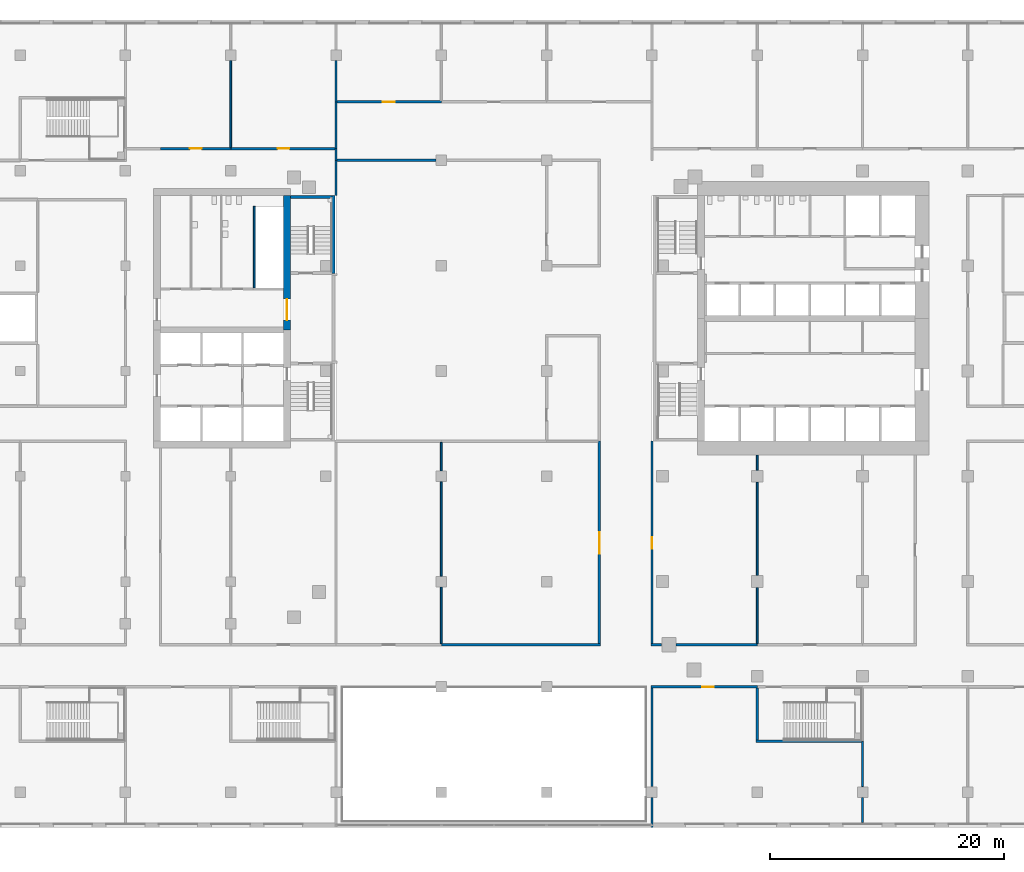
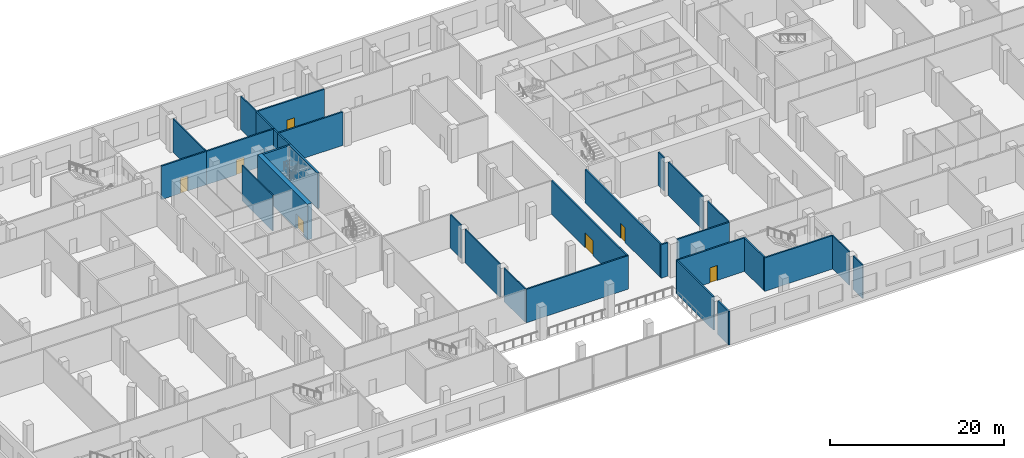
# One storey, part 10 of 23: 31 walls, 7 doors, 7 openings.
"""IFC4 building model written with IfcOpenShell, lengths in metres."""

from ifc_helpers import new_model, si_unit, direction, frame, frame_2d, origin, place, context, subcontext, project, spatial, rectangle, extrude, material, layer, layer_set, type_object, element, fill, save


model = new_model("IFC4")

# Units and contexts
model_context = context("Model", 3, precision=1e-05, world=origin(), true_north=direction((0.0, 1.0)))
body_context = subcontext(model_context, "Body", "Model", "MODEL_VIEW")
ifc_project = project(units=[si_unit("LENGTHUNIT", "METRE"), si_unit("AREAUNIT", "SQUARE_METRE"), si_unit("VOLUMEUNIT", "CUBIC_METRE"), si_unit("PLANEANGLEUNIT", "RADIAN"), si_unit("MASSUNIT", "GRAM", prefix="KILO")], contexts=[model_context])

# Site, building, storey
site_placement = place(None, origin())
site = spatial("IfcSite", under=ifc_project, at=site_placement, CompositionType="ELEMENT")
building_placement = place(site_placement, origin())
building = spatial("IfcBuilding", under=site, at=building_placement, Name="Cinnabar Reach Civic Tower", CompositionType="ELEMENT")
storey_placement = place(building_placement, frame((0.0, 0.0, 6.0)))
storey = spatial("IfcBuildingStorey", under=building, at=storey_placement, Name="L01", CompositionType="ELEMENT", Elevation=6.0)

# Wall, opening, door
ifc_material_1 = material(Name="Concrete C70", Category="concrete")
ifc_layer_1 = layer(ifc_material_1, 0.6)
ifc_layer_set_1 = layer_set([ifc_layer_1], Name="Core wall 600 EI 180")
wall_type_1 = type_object("IfcWallType", Name="Core wall 600 EI 180", PredefinedType="SOLIDWALL", material=ifc_layer_set_1)
wall_1_placement = place(storey_placement, frame((-31.2, 30.5, 0.0), z_axis=(0.0, 0.0, 1.0), x_axis=(0.0, 1.0, 0.0)))
wall_1 = element("IfcWall", 1, at=wall_1_placement, inside=storey, type_object=wall_type_1, Name="Core wall T2 L01 E2", PredefinedType="SOLIDWALL", context=body_context, shape_type="SweptSolid", body=[
    extrude(rectangle(XDim=11.5, YDim=0.6, at=frame_2d((5.75, 0.0))), origin(), (0.0, 0.0, 1.0), 5.0),
])
opening_1_placement = place(wall_1_placement, frame((0.85, 0.0, 0.0)))
opening_1 = element("IfcOpeningElement", 2, at=opening_1_placement, cuts=wall_1, Name="Opening D6042", PredefinedType="OPENING", context=body_context, shape_type="SweptSolid", body=[
    extrude(rectangle(XDim=1.8, YDim=2.1, at=frame_2d((0.9, 1.05))), frame((0.0, 0.31, 0.0), z_axis=(0.0, -1.0, 0.0), x_axis=(1.0, 0.0, 0.0)), (0.0, 0.0, 1.0), 0.62),
])
ifc_material_2 = material(Name="Steel fire door", Category="steel")
door_type_1 = type_object("IfcDoorType", Name="T2 Double door 1800", OperationType="DOUBLE_DOOR_SINGLE_SWING", PredefinedType="DOOR", material=ifc_material_2)
door_1_placement = place(opening_1_placement, origin())
door_1 = element("IfcDoor", 3, at=door_1_placement, inside=storey, type_object=door_type_1, Name="T2 Double door D6042", OperationType="DOUBLE_DOOR_SINGLE_SWING", OverallHeight=2.1, OverallWidth=1.8, PredefinedType="DOOR", context=body_context, shape_type="SweptSolid", body=[
    extrude(rectangle(XDim=1.8, YDim=2.1, at=frame_2d((0.9, 1.05))), frame((0.0, 0.025, 0.0), z_axis=(0.0, -1.0, 0.0), x_axis=(1.0, 0.0, 0.0)), (0.0, 0.0, 1.0), 0.05),
])
fill(opening_1, door_1)

# Walls
ifc_material_3 = material(Name="Concrete blockwork", Category="masonry")
ifc_layer_2 = layer(ifc_material_3, 0.2)
ifc_layer_set_2 = layer_set([ifc_layer_2], Name="Podium masonry corridor wall 200 EI 120")
wall_type_2 = type_object("IfcWallType", Name="Podium masonry corridor wall 200 EI 120", PredefinedType="PARTITIONING", material=ifc_layer_set_2)
wall_2_placement = place(storey_placement, frame((0.0, -12.0, 0.0), z_axis=(0.0, 0.0, 1.0), x_axis=(0.0, 1.0, 0.0)))
element("IfcWall", 4, at=wall_2_placement, inside=storey, type_object=wall_type_2, Name="Wall L01 43", PredefinedType="PARTITIONING", context=body_context, shape_type="SweptSolid", body=[
    extrude(rectangle(XDim=2.53, YDim=0.2, at=frame_2d((1.265, 0.0))), origin(), (0.0, 0.0, 1.0), 4.7),
])
wall_3_placement = place(storey_placement, frame((0.0, -8.53, 0.0), z_axis=(0.0, 0.0, 1.0), x_axis=(0.0, 1.0, 0.0)))
element("IfcWall", 5, at=wall_3_placement, inside=storey, type_object=wall_type_2, Name="Wall L01 44", PredefinedType="PARTITIONING", context=body_context, shape_type="SweptSolid", body=[
    extrude(rectangle(XDim=8.43, YDim=0.2, at=frame_2d((4.215, 0.0))), origin(), (0.0, 0.0, 1.0), 4.7),
])

# Wall, opening, door
wall_4_placement = place(storey_placement, frame((-0.1, 0.0, 0.0), z_axis=(0.0, 0.0, 1.0), x_axis=(1.0, 0.0, 0.0)))
wall_4 = element("IfcWall", 6, at=wall_4_placement, inside=storey, type_object=wall_type_2, Name="Wall L01 54", PredefinedType="PARTITIONING", context=body_context, shape_type="SweptSolid", body=[
    extrude(rectangle(XDim=9.1, YDim=0.2, at=frame_2d((4.55, 0.0))), origin(), (0.0, 0.0, 1.0), 4.7),
])
opening_2_placement = place(wall_4_placement, frame((4.4, 0.0, 0.0)))
opening_2 = element("IfcOpeningElement", 7, at=opening_2_placement, cuts=wall_4, Name="Opening D1053", PredefinedType="OPENING", context=body_context, shape_type="SweptSolid", body=[
    extrude(rectangle(XDim=1.0, YDim=2.1, at=frame_2d((0.5, 1.05))), frame((0.0, 0.11, 0.0), z_axis=(0.0, -1.0, 0.0), x_axis=(1.0, 0.0, 0.0)), (0.0, 0.0, 1.0), 0.22),
])
ifc_material_4 = material(Name="Painted steel door leaf", Category="steel")
door_type_2 = type_object("IfcDoorType", Name="Podium single door 1000x2100", OperationType="SINGLE_SWING_LEFT", PredefinedType="DOOR", material=ifc_material_4)
door_2_placement = place(opening_2_placement, frame((1.0, 0.0, 0.0), z_axis=(0.0, 0.0, 1.0), x_axis=(-1.0, 0.0, 0.0)))
door_2 = element("IfcDoor", 8, at=door_2_placement, inside=storey, type_object=door_type_2, Name="Door D1053", OperationType="SINGLE_SWING_LEFT", OverallHeight=2.1, OverallWidth=1.0, PredefinedType="DOOR", context=body_context, shape_type="SweptSolid", body=[
    extrude(rectangle(XDim=1.0, YDim=2.1, at=frame_2d((0.5, 1.05))), frame((0.0, 0.025, 0.0), z_axis=(0.0, -1.0, 0.0), x_axis=(1.0, 0.0, 0.0)), (0.0, 0.0, 1.0), 0.05),
])
fill(opening_2, door_2)

# Walls
wall_5_placement = place(storey_placement, frame((-0.1, 3.6, 0.0), z_axis=(0.0, 0.0, 1.0), x_axis=(1.0, 0.0, 0.0)))
element("IfcWall", 9, at=wall_5_placement, inside=storey, type_object=wall_type_2, Name="Wall L01 59", PredefinedType="PARTITIONING", context=body_context, shape_type="SweptSolid", body=[
    extrude(rectangle(XDim=0.9331, YDim=0.2, at=frame_2d((0.4666, 0.0))), origin(), (0.0, 0.0, 1.0), 4.7),
])
wall_6_placement = place(storey_placement, frame((2.0731, 3.6, 0.0), z_axis=(0.0, 0.0, 1.0), x_axis=(1.0, 0.0, 0.0)))
element("IfcWall", 10, at=wall_6_placement, inside=storey, type_object=wall_type_2, Name="Wall L01 60", PredefinedType="PARTITIONING", context=body_context, shape_type="SweptSolid", body=[
    extrude(rectangle(XDim=6.9269, YDim=0.2, at=frame_2d((3.4634, 0.0))), origin(), (0.0, 0.0, 1.0), 4.7),
])
wall_7_placement = place(storey_placement, frame((-27.0, 42.0, 0.0), z_axis=(0.0, 0.0, 1.0), x_axis=(0.0, 1.0, 0.0)))
element("IfcWall", 11, at=wall_7_placement, inside=storey, type_object=wall_type_2, Name="Wall L01 94", PredefinedType="PARTITIONING", context=body_context, shape_type="SweptSolid", body=[
    extrude(rectangle(XDim=3.0, YDim=0.2, at=frame_2d((1.5, 0.0))), origin(), (0.0, 0.0, 1.0), 4.7),
])
wall_8_placement = place(storey_placement, frame((-27.0, 45.0, 0.0), z_axis=(0.0, 0.0, 1.0), x_axis=(0.0, 1.0, 0.0)))
element("IfcWall", 12, at=wall_8_placement, inside=storey, type_object=wall_type_2, Name="Wall L01 95", PredefinedType="PARTITIONING", context=body_context, shape_type="SweptSolid", body=[
    extrude(rectangle(XDim=1.0, YDim=0.2, at=frame_2d((0.5, 0.0))), origin(), (0.0, 0.0, 1.0), 4.7),
])

# Wall, opening, door
wall_9_placement = place(storey_placement, frame((-42.0, 46.0, 0.0), z_axis=(0.0, 0.0, 1.0), x_axis=(1.0, 0.0, 0.0)))
wall_9 = element("IfcWall", 13, at=wall_9_placement, inside=storey, type_object=wall_type_2, Name="Wall L01 96", PredefinedType="PARTITIONING", context=body_context, shape_type="SweptSolid", body=[
    extrude(rectangle(XDim=6.0, YDim=0.2, at=frame_2d((3.0, 0.0))), origin(), (0.0, 0.0, 1.0), 4.7),
])
opening_3_placement = place(wall_9_placement, frame((2.5, 0.0, 0.0)))
opening_3 = element("IfcOpeningElement", 14, at=opening_3_placement, cuts=wall_9, Name="Opening D1086", PredefinedType="OPENING", context=body_context, shape_type="SweptSolid", body=[
    extrude(rectangle(XDim=1.0, YDim=2.1, at=frame_2d((0.5, 1.05))), frame((0.0, 0.11, 0.0), z_axis=(0.0, -1.0, 0.0), x_axis=(1.0, 0.0, 0.0)), (0.0, 0.0, 1.0), 0.22),
])
door_3_placement = place(opening_3_placement, origin())
door_3 = element("IfcDoor", 15, at=door_3_placement, inside=storey, type_object=door_type_2, Name="Door D1086", OperationType="SINGLE_SWING_RIGHT", OverallHeight=2.1, OverallWidth=1.0, PredefinedType="DOOR", context=body_context, shape_type="SweptSolid", body=[
    extrude(rectangle(XDim=1.0, YDim=2.1, at=frame_2d((0.5, 1.05))), frame((0.0, 0.025, 0.0), z_axis=(0.0, -1.0, 0.0), x_axis=(1.0, 0.0, 0.0)), (0.0, 0.0, 1.0), 0.05),
])
fill(opening_3, door_3)

wall_10_placement = place(storey_placement, frame((-36.0, 46.0, 0.0), z_axis=(0.0, 0.0, 1.0), x_axis=(1.0, 0.0, 0.0)))
wall_10 = element("IfcWall", 16, at=wall_10_placement, inside=storey, type_object=wall_type_2, Name="Wall L01 97", PredefinedType="PARTITIONING", context=body_context, shape_type="SweptSolid", body=[
    extrude(rectangle(XDim=8.9, YDim=0.2, at=frame_2d((4.45, 0.0))), origin(), (0.0, 0.0, 1.0), 4.7),
])
opening_4_placement = place(wall_10_placement, frame((4.0, 0.0, 0.0)))
opening_4 = element("IfcOpeningElement", 17, at=opening_4_placement, cuts=wall_10, Name="Opening D1087", PredefinedType="OPENING", context=body_context, shape_type="SweptSolid", body=[
    extrude(rectangle(XDim=1.0, YDim=2.1, at=frame_2d((0.5, 1.05))), frame((0.0, 0.11, 0.0), z_axis=(0.0, -1.0, 0.0), x_axis=(1.0, 0.0, 0.0)), (0.0, 0.0, 1.0), 0.22),
])
door_4_placement = place(opening_4_placement, origin())
door_4 = element("IfcDoor", 18, at=door_4_placement, inside=storey, type_object=door_type_2, Name="Door D1087", OperationType="SINGLE_SWING_LEFT", OverallHeight=2.1, OverallWidth=1.0, PredefinedType="DOOR", context=body_context, shape_type="SweptSolid", body=[
    extrude(rectangle(XDim=1.0, YDim=2.1, at=frame_2d((0.5, 1.05))), frame((0.0, 0.025, 0.0), z_axis=(0.0, -1.0, 0.0), x_axis=(1.0, 0.0, 0.0)), (0.0, 0.0, 1.0), 0.05),
])
fill(opening_4, door_4)

# Wall
wall_11_placement = place(storey_placement, frame((-18.0, 3.6, 0.0), z_axis=(0.0, 0.0, 1.0), x_axis=(1.0, 0.0, 0.0)))
element("IfcWall", 19, at=wall_11_placement, inside=storey, type_object=wall_type_2, Name="Wall L01 126", PredefinedType="PARTITIONING", context=body_context, shape_type="SweptSolid", body=[
    extrude(rectangle(XDim=13.6, YDim=0.2, at=frame_2d((6.8, 0.0))), origin(), (0.0, 0.0, 1.0), 4.7),
])

# Wall, opening, door
wall_12_placement = place(storey_placement, frame((-4.5, 3.7, 0.0), z_axis=(0.0, 0.0, 1.0), x_axis=(0.0, 1.0, 0.0)))
wall_12 = element("IfcWall", 20, at=wall_12_placement, inside=storey, type_object=wall_type_2, Name="Wall L01 127", PredefinedType="PARTITIONING", context=body_context, shape_type="SweptSolid", body=[
    extrude(rectangle(XDim=17.3, YDim=0.2, at=frame_2d((8.65, 0.0))), origin(), (0.0, 0.0, 1.0), 4.7),
])
opening_5_placement = place(wall_12_placement, frame((7.7, 0.0, 0.0)))
opening_5 = element("IfcOpeningElement", 21, at=opening_5_placement, cuts=wall_12, Name="Opening D1044", PredefinedType="OPENING", context=body_context, shape_type="SweptSolid", body=[
    extrude(rectangle(XDim=1.8, YDim=2.1, at=frame_2d((0.9, 1.05))), frame((0.0, 0.11, 0.0), z_axis=(0.0, -1.0, 0.0), x_axis=(1.0, 0.0, 0.0)), (0.0, 0.0, 1.0), 0.22),
])
door_type_3 = type_object("IfcDoorType", Name="Podium double door 1800x2100", OperationType="DOUBLE_DOOR_SINGLE_SWING", PredefinedType="DOOR", material=ifc_material_4)
door_5_placement = place(opening_5_placement, origin())
door_5 = element("IfcDoor", 22, at=door_5_placement, inside=storey, type_object=door_type_3, Name="Door D1044", OperationType="DOUBLE_DOOR_SINGLE_SWING", OverallHeight=2.1, OverallWidth=1.8, PredefinedType="DOOR", context=body_context, shape_type="SweptSolid", body=[
    extrude(rectangle(XDim=1.8, YDim=2.1, at=frame_2d((0.9, 1.05))), frame((0.0, 0.025, 0.0), z_axis=(0.0, -1.0, 0.0), x_axis=(1.0, 0.0, 0.0)), (0.0, 0.0, 1.0), 0.05),
])
fill(opening_5, door_5)

wall_13_placement = place(storey_placement, frame((0.0, 3.7, 0.0), z_axis=(0.0, 0.0, 1.0), x_axis=(0.0, 1.0, 0.0)))
wall_13 = element("IfcWall", 23, at=wall_13_placement, inside=storey, type_object=wall_type_2, Name="Wall L01 130", PredefinedType="PARTITIONING", context=body_context, shape_type="SweptSolid", body=[
    extrude(rectangle(XDim=17.3, YDim=0.2, at=frame_2d((8.65, 0.0))), origin(), (0.0, 0.0, 1.0), 4.7),
])
opening_6_placement = place(wall_13_placement, frame((8.1, 0.0, 0.0)))
opening_6 = element("IfcOpeningElement", 24, at=opening_6_placement, cuts=wall_13, Name="Opening D1064", PredefinedType="OPENING", context=body_context, shape_type="SweptSolid", body=[
    extrude(rectangle(XDim=1.0, YDim=2.1, at=frame_2d((0.5, 1.05))), frame((0.0, 0.11, 0.0), z_axis=(0.0, -1.0, 0.0), x_axis=(1.0, 0.0, 0.0)), (0.0, 0.0, 1.0), 0.22),
])
door_6_placement = place(opening_6_placement, frame((1.0, 0.0, 0.0), z_axis=(0.0, 0.0, 1.0), x_axis=(-1.0, 0.0, 0.0)))
door_6 = element("IfcDoor", 25, at=door_6_placement, inside=storey, type_object=door_type_2, Name="Door D1064", OperationType="SINGLE_SWING_RIGHT", OverallHeight=2.1, OverallWidth=1.0, PredefinedType="DOOR", context=body_context, shape_type="SweptSolid", body=[
    extrude(rectangle(XDim=1.0, YDim=2.1, at=frame_2d((0.5, 1.05))), frame((0.0, 0.025, 0.0), z_axis=(0.0, -1.0, 0.0), x_axis=(1.0, 0.0, 0.0)), (0.0, 0.0, 1.0), 0.05),
])
fill(opening_6, door_6)

# Wall
wall_14_placement = place(storey_placement, frame((-26.9, 45.0, 0.0), z_axis=(0.0, 0.0, 1.0), x_axis=(1.0, 0.0, 0.0)))
element("IfcWall", 26, at=wall_14_placement, inside=storey, type_object=wall_type_2, Name="Wall L01 144", PredefinedType="PARTITIONING", context=body_context, shape_type="SweptSolid", body=[
    extrude(rectangle(XDim=8.43, YDim=0.2, at=frame_2d((4.215, 0.0))), origin(), (0.0, 0.0, 1.0), 4.7),
])

# Wall, opening, door
wall_15_placement = place(storey_placement, frame((-26.9, 50.0, 0.0), z_axis=(0.0, 0.0, 1.0), x_axis=(1.0, 0.0, 0.0)))
wall_15 = element("IfcWall", 27, at=wall_15_placement, inside=storey, type_object=wall_type_2, Name="Wall L01 146", PredefinedType="PARTITIONING", context=body_context, shape_type="SweptSolid", body=[
    extrude(rectangle(XDim=8.9, YDim=0.2, at=frame_2d((4.45, 0.0))), origin(), (0.0, 0.0, 1.0), 4.7),
])
opening_7_placement = place(wall_15_placement, frame((3.9, 0.0, 0.0)))
opening_7 = element("IfcOpeningElement", 28, at=opening_7_placement, cuts=wall_15, Name="Opening D1047", PredefinedType="OPENING", context=body_context, shape_type="SweptSolid", body=[
    extrude(rectangle(XDim=1.0, YDim=2.1, at=frame_2d((0.5, 1.05))), frame((0.0, 0.11, 0.0), z_axis=(0.0, -1.0, 0.0), x_axis=(1.0, 0.0, 0.0)), (0.0, 0.0, 1.0), 0.22),
])
door_7_placement = place(opening_7_placement, origin())
door_7 = element("IfcDoor", 29, at=door_7_placement, inside=storey, type_object=door_type_2, Name="Door D1047", OperationType="SINGLE_SWING_RIGHT", OverallHeight=2.1, OverallWidth=1.0, PredefinedType="DOOR", context=body_context, shape_type="SweptSolid", body=[
    extrude(rectangle(XDim=1.0, YDim=2.1, at=frame_2d((0.5, 1.05))), frame((0.0, 0.025, 0.0), z_axis=(0.0, -1.0, 0.0), x_axis=(1.0, 0.0, 0.0)), (0.0, 0.0, 1.0), 0.05),
])
fill(opening_7, door_7)

# Walls
wall_16_placement = place(storey_placement, frame((-27.0, 46.0, 0.0), z_axis=(0.0, 0.0, 1.0), x_axis=(0.0, 1.0, 0.0)))
element("IfcWall", 30, at=wall_16_placement, inside=storey, type_object=wall_type_2, Name="Wall L01 149", PredefinedType="PARTITIONING", context=body_context, shape_type="SweptSolid", body=[
    extrude(rectangle(XDim=4.0, YDim=0.2, at=frame_2d((2.0, 0.0))), origin(), (0.0, 0.0, 1.0), 4.7),
])
ifc_material_5 = material(Name="Gypsum board on steel studs", Category="steel")
ifc_layer_3 = layer(ifc_material_5, 0.15)
ifc_layer_set_3 = layer_set([ifc_layer_3], Name="Podium partition wall 150 EI 90")
wall_type_3 = type_object("IfcWallType", Name="Podium partition wall 150 EI 90", PredefinedType="PARTITIONING", material=ifc_layer_set_3)
wall_17_placement = place(storey_placement, frame((-18.0, 3.7, 0.0), z_axis=(0.0, 0.0, 1.0), x_axis=(0.0, 1.0, 0.0)))
element("IfcWall", 31, at=wall_17_placement, inside=storey, type_object=wall_type_3, Name="Wall L01 131", PredefinedType="PARTITIONING", context=body_context, shape_type="SweptSolid", body=[
    extrude(rectangle(XDim=4.83, YDim=0.15, at=frame_2d((2.415, 0.0))), origin(), (0.0, 0.0, 1.0), 4.7),
])
wall_18_placement = place(storey_placement, frame((-18.0, 9.47, 0.0), z_axis=(0.0, 0.0, 1.0), x_axis=(0.0, 1.0, 0.0)))
element("IfcWall", 32, at=wall_18_placement, inside=storey, type_object=wall_type_3, Name="Wall L01 132", PredefinedType="PARTITIONING", context=body_context, shape_type="SweptSolid", body=[
    extrude(rectangle(XDim=8.06, YDim=0.15, at=frame_2d((4.03, 0.0))), origin(), (0.0, 0.0, 1.0), 4.7),
])
wall_19_placement = place(storey_placement, frame((-18.0, 18.47, 0.0), z_axis=(0.0, 0.0, 1.0), x_axis=(0.0, 1.0, 0.0)))
element("IfcWall", 33, at=wall_19_placement, inside=storey, type_object=wall_type_3, Name="Wall L01 133", PredefinedType="PARTITIONING", context=body_context, shape_type="SweptSolid", body=[
    extrude(rectangle(XDim=2.43, YDim=0.15, at=frame_2d((1.215, 0.0))), origin(), (0.0, 0.0, 1.0), 4.7),
])
wall_20_placement = place(storey_placement, frame((-27.0, 50.0, 0.0), z_axis=(0.0, 0.0, 1.0), x_axis=(0.0, 1.0, 0.0)))
element("IfcWall", 34, at=wall_20_placement, inside=storey, type_object=wall_type_3, Name="Wall L01 153", PredefinedType="PARTITIONING", context=body_context, shape_type="SweptSolid", body=[
    extrude(rectangle(XDim=3.53, YDim=0.15, at=frame_2d((1.765, 0.0))), origin(), (0.0, 0.0, 1.0), 4.7),
])
wall_21_placement = place(storey_placement, frame((18.0, -11.6, 0.0), z_axis=(0.0, 0.0, 1.0), x_axis=(0.0, 1.0, 0.0)))
element("IfcWall", 35, at=wall_21_placement, inside=storey, type_object=wall_type_3, Name="Wall L01 163", PredefinedType="PARTITIONING", context=body_context, shape_type="SweptSolid", body=[
    extrude(rectangle(XDim=2.13, YDim=0.15, at=frame_2d((1.065, 0.0))), origin(), (0.0, 0.0, 1.0), 4.7),
])
wall_22_placement = place(storey_placement, frame((18.0, -8.53, 0.0), z_axis=(0.0, 0.0, 1.0), x_axis=(0.0, 1.0, 0.0)))
element("IfcWall", 36, at=wall_22_placement, inside=storey, type_object=wall_type_3, Name="Wall L01 164", PredefinedType="PARTITIONING", context=body_context, shape_type="SweptSolid", body=[
    extrude(rectangle(XDim=3.88, YDim=0.15, at=frame_2d((1.94, 0.0))), origin(), (0.0, 0.0, 1.0), 4.7),
])
wall_23_placement = place(storey_placement, frame((9.0, 3.7, 0.0), z_axis=(0.0, 0.0, 1.0), x_axis=(0.0, 1.0, 0.0)))
element("IfcWall", 37, at=wall_23_placement, inside=storey, type_object=wall_type_3, Name="Wall L01 184", PredefinedType="PARTITIONING", context=body_context, shape_type="SweptSolid", body=[
    extrude(rectangle(XDim=4.78, YDim=0.15, at=frame_2d((2.39, 0.0))), origin(), (0.0, 0.0, 1.0), 4.7),
])
wall_24_placement = place(storey_placement, frame((9.0, 9.52, 0.0), z_axis=(0.0, 0.0, 1.0), x_axis=(0.0, 1.0, 0.0)))
element("IfcWall", 38, at=wall_24_placement, inside=storey, type_object=wall_type_3, Name="Wall L01 185", PredefinedType="PARTITIONING", context=body_context, shape_type="SweptSolid", body=[
    extrude(rectangle(XDim=7.96, YDim=0.15, at=frame_2d((3.98, 0.0))), origin(), (0.0, 0.0, 1.0), 4.7),
])
wall_25_placement = place(storey_placement, frame((9.0, 18.52, 0.0), z_axis=(0.0, 0.0, 1.0), x_axis=(0.0, 1.0, 0.0)))
element("IfcWall", 39, at=wall_25_placement, inside=storey, type_object=wall_type_3, Name="Wall L01 186", PredefinedType="PARTITIONING", context=body_context, shape_type="SweptSolid", body=[
    extrude(rectangle(XDim=1.28, YDim=0.15, at=frame_2d((0.64, 0.0))), origin(), (0.0, 0.0, 1.0), 4.7),
])
wall_26_placement = place(storey_placement, frame((-36.0, 46.1, 0.0), z_axis=(0.0, 0.0, 1.0), x_axis=(0.0, 1.0, 0.0)))
element("IfcWall", 40, at=wall_26_placement, inside=storey, type_object=wall_type_3, Name="Wall L01 219", PredefinedType="PARTITIONING", context=body_context, shape_type="SweptSolid", body=[
    extrude(rectangle(XDim=7.43, YDim=0.15, at=frame_2d((3.715, 0.0))), origin(), (0.0, 0.0, 1.0), 4.7),
])
ifc_material_6 = material(Name="Concrete C40", Category="concrete")
ifc_layer_4 = layer(ifc_material_6, 0.2)
ifc_layer_set_4 = layer_set([ifc_layer_4], Name="Podium stair shaft wall 200 EI 120")
wall_type_4 = type_object("IfcWallType", Name="Podium stair shaft wall 200 EI 120", PredefinedType="SOLIDWALL", material=ifc_layer_set_4)
wall_27_placement = place(storey_placement, frame((8.9, -4.65, 0.0), z_axis=(0.0, 0.0, 1.0), x_axis=(1.0, 0.0, 0.0)))
element("IfcWall", 41, at=wall_27_placement, inside=storey, type_object=wall_type_4, Name="Wall L01 10", PredefinedType="SOLIDWALL", context=body_context, shape_type="SweptSolid", body=[
    extrude(rectangle(XDim=9.0, YDim=0.2, at=frame_2d((4.5, 0.0))), origin(), (0.0, 0.0, 1.0), 4.7),
])
wall_28_placement = place(storey_placement, frame((9.0, -4.55, 0.0), z_axis=(0.0, 0.0, 1.0), x_axis=(0.0, 1.0, 0.0)))
element("IfcWall", 42, at=wall_28_placement, inside=storey, type_object=wall_type_4, Name="Wall L01 11", PredefinedType="SOLIDWALL", context=body_context, shape_type="SweptSolid", body=[
    extrude(rectangle(XDim=4.45, YDim=0.2, at=frame_2d((2.225, 0.0))), origin(), (0.0, 0.0, 1.0), 4.7),
])
ifc_material_7 = material(Name="Concrete C60", Category="concrete")
ifc_layer_5 = layer(ifc_material_7, 0.25)
ifc_layer_set_5 = layer_set([ifc_layer_5], Name="Stair shaft wall 250 EI 120")
wall_type_5 = type_object("IfcWallType", Name="Stair shaft wall 250 EI 120", PredefinedType="SOLIDWALL", material=ifc_layer_set_5)
wall_29_placement = place(storey_placement, frame((-27.36, 41.875, 0.0), z_axis=(0.0, 0.0, 1.0), x_axis=(-1.0, 0.0, 0.0)))
element("IfcWall", 43, at=wall_29_placement, inside=storey, type_object=wall_type_5, Name="Stair shaft wall T2-S2 L01", PredefinedType="SOLIDWALL", context=body_context, shape_type="SweptSolid", body=[
    extrude(rectangle(XDim=3.54, YDim=0.25, at=frame_2d((1.77, 0.0))), origin(), (0.0, 0.0, 1.0), 5.0),
])
wall_30_placement = place(storey_placement, frame((-27.235, 35.35, 0.0), z_axis=(0.0, 0.0, 1.0), x_axis=(0.0, 1.0, 0.0)))
element("IfcWall", 44, at=wall_30_placement, inside=storey, type_object=wall_type_5, Name="Stair shaft wall T2-STRIP L01", PredefinedType="SOLIDWALL", context=body_context, shape_type="SweptSolid", body=[
    extrude(rectangle(XDim=6.65, YDim=0.25, at=frame_2d((3.325, 0.0))), origin(), (0.0, 0.0, 1.0), 5.0),
])
ifc_layer_6 = layer(ifc_material_6, 0.15)
ifc_layer_set_6 = layer_set([ifc_layer_6], Name="T2 Riser wall 150")
wall_type_6 = type_object("IfcWallType", Name="T2 Riser wall 150", PredefinedType="SOLIDWALL", material=ifc_layer_set_6)
wall_31_placement = place(storey_placement, frame((-34.0, 41.075, 0.0), z_axis=(0.0, 0.0, 1.0), x_axis=(0.0, -1.0, 0.0)))
element("IfcWall", 45, at=wall_31_placement, inside=storey, type_object=wall_type_6, Name="T2 Riser wall L01 015", PredefinedType="SOLIDWALL", context=body_context, shape_type="SweptSolid", body=[
    extrude(rectangle(XDim=7.0, YDim=0.15, at=frame_2d((3.5, 0.0))), origin(), (0.0, 0.0, 1.0), 5.0),
])

save(model, "model.ifc")
